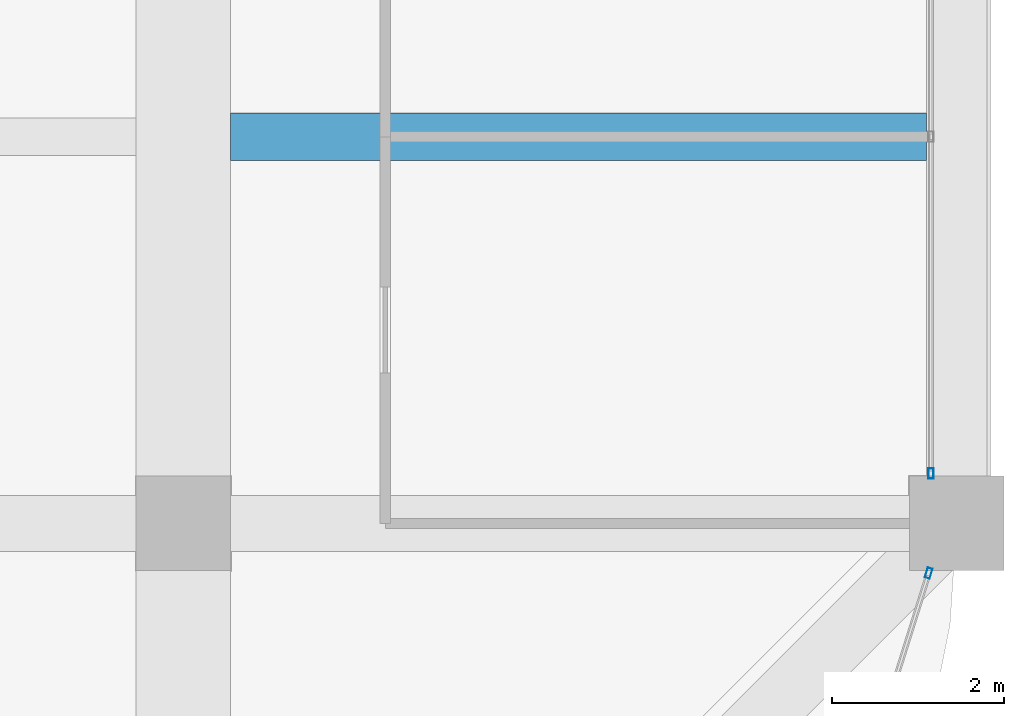
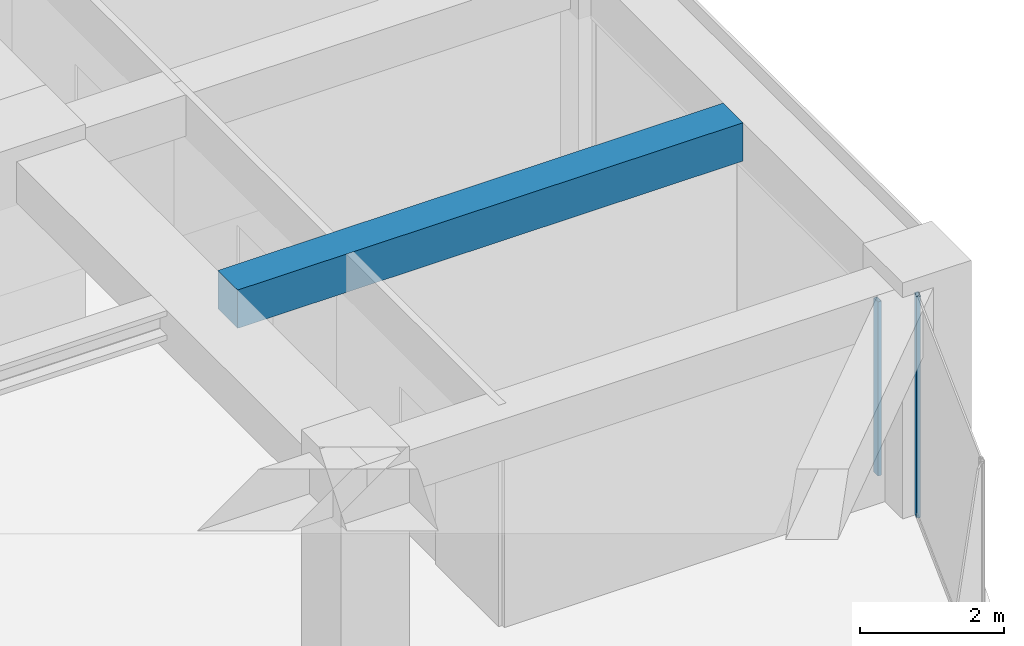
# One storey, part 22 of 44: 2 members, 1 beam, 2 elements without a shape of their own.
"""IFC4 building model written with IfcOpenShell, lengths in metres."""

from ifc_helpers import new_model, si_unit, direction, frame, origin, origin_2d, place, context, subcontext, project, spatial, rectangle, hollow_rectangle, extrude, material, material_profile, profile_set, type_object, element, aggregate, save


model = new_model("IFC4")

# Units and contexts
model_context = context("Model", 3, precision=1e-05, world=origin(), true_north=direction((0.0, 1.0)))
body_context = subcontext(model_context, "Body", "Model", "MODEL_VIEW")
ifc_project = project(units=[si_unit("LENGTHUNIT", "METRE"), si_unit("AREAUNIT", "SQUARE_METRE"), si_unit("VOLUMEUNIT", "CUBIC_METRE"), si_unit("PLANEANGLEUNIT", "RADIAN"), si_unit("MASSUNIT", "GRAM", prefix="KILO")], contexts=[model_context])

# Site, building, storey
site_placement = place(None, origin())
site = spatial("IfcSite", under=ifc_project, at=site_placement, CompositionType="ELEMENT")
building_placement = place(site_placement, origin())
building = spatial("IfcBuilding", under=site, at=building_placement, Name="Zorevar Civic Tower", CompositionType="ELEMENT")
storey_placement = place(building_placement, frame((0.0, 0.0, 259.39990234375)))
storey = spatial("IfcBuildingStorey", under=building, at=storey_placement, Name="L63", CompositionType="ELEMENT", Elevation=259.39990234375)

# Beam
ifc_material_1 = material(Name="Concrete C50/60", Category="concrete")
ifc_material_profile_1 = material_profile(ifc_material_1, rectangle(XDim=0.550048828125, YDim=0.64990234375, at=origin_2d()), Name="RC 550x650")
ifc_profile_set_1 = profile_set([ifc_material_profile_1], Name="Concrete C50/60")
beam_type = type_object("IfcBeamType", Name="Beam RC 550x650", PredefinedType="BEAM", material=ifc_profile_set_1)
beam_placement = place(storey_placement, frame((45.550048828125, 13.5, 3.425048828125), z_axis=(1.0, 0.0, 0.0), x_axis=(0.0, 1.0, 0.0)))
element("IfcBeam", 1, at=beam_placement, inside=storey, type_object=beam_type, Name="Secondary beam L64", PredefinedType="BEAM", context=body_context, shape_type="SweptSolid", body=[
    extrude(rectangle(XDim=0.550048828125, YDim=0.64990234375, at=origin_2d()), origin(), (0.0, 0.0, 1.0), 8.099853515625),
])

# Curtain wall, member
ifc_material_2 = material(Name="Dark grey solar-control glass in black aluminium frame", Category="aluminium")
curtain_wall_type = type_object("IfcCurtainWallType", Name="Curtain wall CW5 top zone", PredefinedType="NOTDEFINED", material=ifc_material_2)
curtain_wall_1_placement = place(storey_placement, origin())
curtain_wall_1 = element("IfcCurtainWall", 2, at=curtain_wall_1_placement, inside=storey, type_object=curtain_wall_type, Name="CW5 L63", PredefinedType="NOTDEFINED")
ifc_material_3 = material(Name="Aluminium, black anodised", Category="aluminium")
ifc_material_profile_2 = material_profile(ifc_material_3, hollow_rectangle(XDim=0.06005859375, YDim=0.1201171875, WallThickness=0.0029296875, at=origin_2d()), Name="AL 120x60x3")
ifc_profile_set_2 = profile_set([ifc_material_profile_2], Name="Aluminium, black anodised")
member_type = type_object("IfcMemberType", Name="CW5 mullion AL 120x60x3", PredefinedType="MULLION", material=ifc_profile_set_2)
member_1_placement = place(storey_placement, frame((53.699951171875, 9.580078125, 0.0), z_axis=(0.0, 0.0, 1.0), x_axis=(-1.0, 0.0, 0.0)))
member_1 = element("IfcMember", 3, at=member_1_placement, type_object=member_type, Name="CW5 mullion 1", PredefinedType="MULLION", context=body_context, shape_type="SweptSolid", body=[
    extrude(hollow_rectangle(XDim=0.06005859375, YDim=0.1201171875, WallThickness=0.0029296875, at=origin_2d()), origin(), (0.0, 0.0, 1.0), 2.9501953125),
])
aggregate(curtain_wall_1, [member_1])

curtain_wall_2_placement = place(storey_placement, origin())
curtain_wall_2 = element("IfcCurtainWall", 4, at=curtain_wall_2_placement, inside=storey, type_object=curtain_wall_type, Name="CW5 L63", PredefinedType="NOTDEFINED")
member_2_placement = place(storey_placement, frame((53.673583984375, 8.42138671875, 0.0), z_axis=(0.0, 0.0, 1.0), x_axis=(-0.954153437674, 0.299317920238, 0.0)))
member_2 = element("IfcMember", 5, at=member_2_placement, type_object=member_type, Name="CW5 mullion 2", PredefinedType="MULLION", context=body_context, shape_type="SweptSolid", body=[
    extrude(hollow_rectangle(XDim=0.06005859375, YDim=0.1201171875, WallThickness=0.0029296875, at=origin_2d()), origin(), (0.0, 0.0, 1.0), 3.75),
])
aggregate(curtain_wall_2, [member_2])

save(model, "model.ifc")
